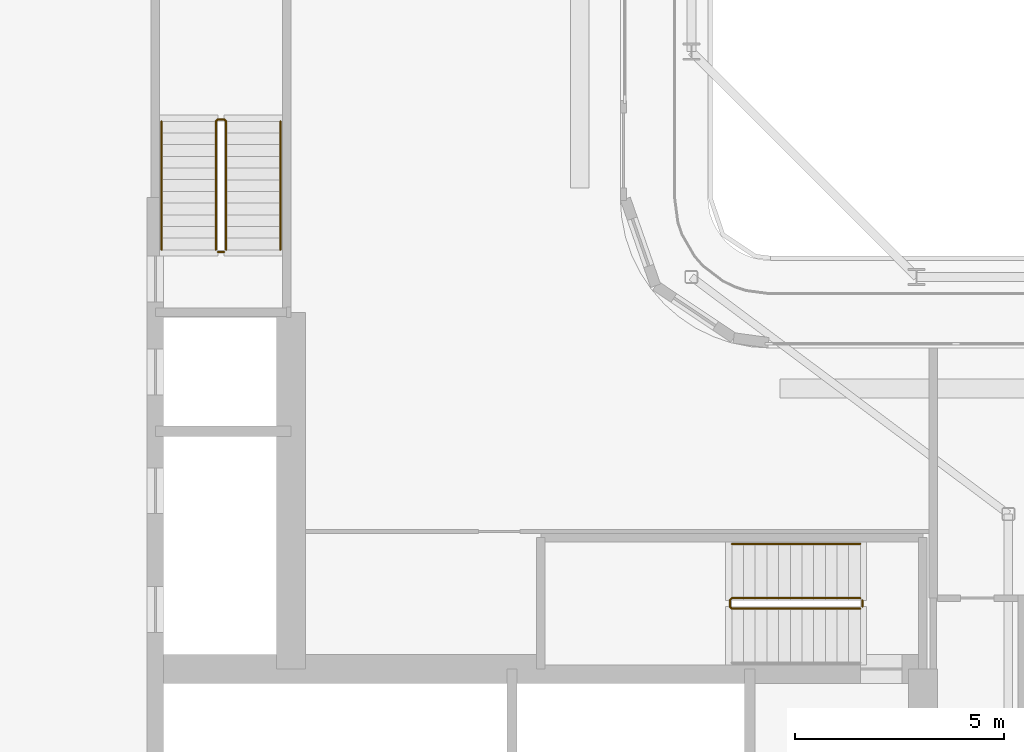
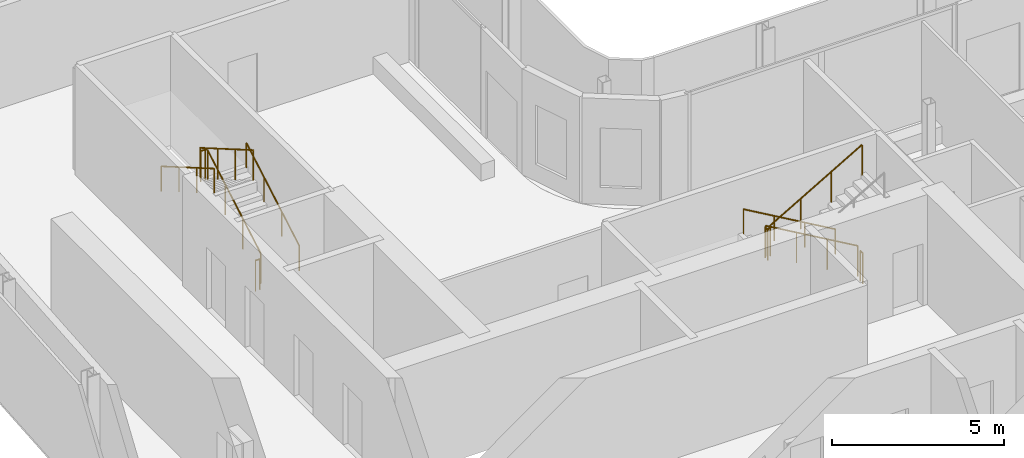
# One storey, part 18 of 23: 7 railings.
"""IFC4 building model written with IfcOpenShell, lengths in metres."""

import ifcopenshell
import ifcopenshell.guid

model = None  # the IFC model being written
_history = None  # IfcOwnerHistory: only IFC2X3 demands one
_inside = {}  # id of a spatial element -> (the spatial element, [elements in it])
_under = {}  # id of a project, library or spatial element -> (it, [spatial elements below it])
_declared = {}  # id of a project -> (the project, [libraries it declares])
_typed = {}  # id of a type object -> (the type object, [elements of that type])
_made_of = {}  # id of a material, layer set ... -> (it, [elements and type objects made of it])


def new_model(schema):
    """Start an empty IFC model of exactly this schema.

    Asked for "IFC4X3", IfcOpenShell would pick the latest addendum, in which some entities
    have other attributes; the version numbers below select the first issue.
    IFC2X3 requires an IfcOwnerHistory on every rooted entity: one is made here for all.
    """
    global model, _history
    if schema == "IFC4X3":
        model = ifcopenshell.file(schema_version=(4, 3, 0, 0))
    else:
        model = ifcopenshell.file(schema=schema)
    _inside.clear()
    _under.clear()
    _declared.clear()
    _typed.clear()
    _made_of.clear()
    _history = None
    if model.schema == "IFC2X3":
        org = make("IfcOrganization", Name="unknown")
        user = make(
            "IfcPersonAndOrganization",
            ThePerson=make("IfcPerson", FamilyName="unknown"),
            TheOrganization=org,
        )
        app = make(
            "IfcApplication",
            ApplicationDeveloper=org,
            Version="unknown",
            ApplicationFullName="unknown",
            ApplicationIdentifier="unknown",
        )
        _history = make(
            "IfcOwnerHistory",
            OwningUser=user,
            OwningApplication=app,
            ChangeAction="ADDED",
            CreationDate=0,
        )
    return model


def make(cls, **values):
    """One entity of the class cls with the attributes given. An attribute that is None is left unset."""
    return model.create_entity(
        cls, **{name: value for name, value in values.items() if value is not None}
    )


def rooted(cls, **values):
    """An entity with a GlobalId (a new one), such as an element, a storey or a relation."""
    return make(cls, GlobalId=ifcopenshell.guid.new(), OwnerHistory=_history, **values)


def si_unit(unit_type, name, prefix=None):
    """IfcSIUnit, for example si_unit("LENGTHUNIT", "METRE", prefix="MILLI")."""
    return make("IfcSIUnit", UnitType=unit_type, Prefix=prefix, Name=name)


def assignment(units):
    """IfcUnitAssignment: the units of a project."""
    return None if units is None else make("IfcUnitAssignment", Units=units)


def point(xyz):
    """IfcCartesianPoint."""
    return None if xyz is None else make("IfcCartesianPoint", Coordinates=xyz)


def direction(xyz):
    """IfcDirection."""
    return None if xyz is None else make("IfcDirection", DirectionRatios=xyz)


def frame(location, z_axis=None, x_axis=None):
    """IfcAxis2Placement3D, a coordinate frame: its origin and axes. An axis left out is left unset."""
    return make(
        "IfcAxis2Placement3D",
        Location=point(location),
        Axis=direction(z_axis),
        RefDirection=direction(x_axis),
    )


def frame_2d(location, x_axis=None):
    """IfcAxis2Placement2D, a coordinate frame in the plane: its origin and x axis."""
    return make(
        "IfcAxis2Placement2D", Location=point(location), RefDirection=direction(x_axis)
    )


def origin():
    """The frame at (0, 0, 0) with its axes left unset."""
    return frame((0.0, 0.0, 0.0))


def origin_2d():
    """The frame at (0, 0) in the plane with its x axis left unset."""
    return frame_2d((0.0, 0.0))


def place(relative_to, where):
    """IfcLocalPlacement: puts the frame where relative to a parent placement (None: the world)."""
    return make(
        "IfcLocalPlacement", PlacementRelTo=relative_to, RelativePlacement=where
    )


def context(
    kind, dimensions, precision=None, world=None, true_north=None, identifier=None
):
    """IfcGeometricRepresentationContext, for example the 3D "Model" context."""
    return make(
        "IfcGeometricRepresentationContext",
        ContextIdentifier=identifier,
        ContextType=kind,
        CoordinateSpaceDimension=dimensions,
        Precision=precision,
        WorldCoordinateSystem=world,
        TrueNorth=true_north,
    )


def subcontext(parent, identifier, kind, view, scale=None):
    """IfcGeometricRepresentationSubContext, for example "Body" below "Model"."""
    return make(
        "IfcGeometricRepresentationSubContext",
        ContextIdentifier=identifier,
        ContextType=kind,
        ParentContext=parent,
        TargetScale=scale,
        TargetView=view,
    )


def project(units=None, contexts=None):
    """IfcProject with its units and contexts."""
    return rooted(
        "IfcProject",
        Name="project",
        RepresentationContexts=contexts,
        UnitsInContext=assignment(units),
    )


def spatial(cls, under=None, at=None, **own):
    """A site, building, storey or space (cls), placed at a placement, below another one or the project."""
    s = rooted(cls, ObjectPlacement=at, **own)
    if under is not None:
        _under.setdefault(under.id(), (under, []))[1].append(s)
    return s


def profile(cls, at=None, kind="AREA", **sizes):
    """A parametric profile (cls). Its sizes go by their IFC names, for example OverallWidth=200.0."""
    return make(cls, ProfileType=kind, Position=at, **sizes)


def circle(**sizes):
    """IfcCircleProfileDef."""
    return profile("IfcCircleProfileDef", **sizes)


def extrude(swept, where, along, depth):
    """IfcExtrudedAreaSolid: the profile swept, set in the frame where, extruded along a direction by depth."""
    return make(
        "IfcExtrudedAreaSolid",
        SweptArea=swept,
        Position=where,
        ExtrudedDirection=direction(along),
        Depth=depth,
    )


def shape(context_of_items, identifier, shape_type, items):
    """IfcShapeRepresentation: the items that make up one representation, for example the "Body"."""
    return make(
        "IfcShapeRepresentation",
        ContextOfItems=context_of_items,
        RepresentationIdentifier=identifier,
        RepresentationType=shape_type,
        Items=items,
    )


def material(Name=None, Category=None):
    """IfcMaterial."""
    return make("IfcMaterial", Name=Name, Category=Category)


def made_of(thing, what):
    """Note that an element or type object is made of a material, layer set ...; save() writes the relation."""
    if what is not None:
        _made_of.setdefault(what.id(), (what, []))[1].append(thing)
    return thing


def type_object(cls, material=None, **own):
    """A type object (cls), such as IfcWallType, which elements share."""
    return made_of(rooted(cls, **own), material)


def element(
    cls,
    number,
    at=None,
    inside=None,
    cuts=None,
    type_object=None,
    material=None,
    context=None,
    identifier="Body",
    shape_type=None,
    held_by="IfcProductDefinitionShape",
    body=None,
    shapes=None,
    **own,
):
    """One element of the class cls, such as IfcWall. Its Tag is "e" and its number.

    at: its placement. inside: the storey or other place that contains it. cuts: it is an
    opening in that element (IfcRelVoidsElement). A single representation is given by context,
    identifier, shape_type and body (its items); several are given by shapes. held_by: the class
    of the entity that holds the representations. save() writes the other relations.
    """
    e = rooted(cls, Tag="e%d" % number, ObjectPlacement=at, **own)
    if body is not None:
        shapes = [shape(context, identifier, shape_type, body)]
    if shapes is not None:
        e.Representation = make(held_by, Representations=shapes)
    if inside is not None:
        _inside.setdefault(inside.id(), (inside, []))[1].append(e)
    if cuts is not None:
        rooted(
            "IfcRelVoidsElement", RelatingBuildingElement=cuts, RelatedOpeningElement=e
        )
    if type_object is not None:
        _typed.setdefault(type_object.id(), (type_object, []))[1].append(e)
    return made_of(e, material)


def aggregate(whole, parts):
    """IfcRelAggregates: a whole, such as a stair, and the parts it consists of."""
    return rooted("IfcRelAggregates", RelatingObject=whole, RelatedObjects=parts)


def save(model, path):
    """Write the relations noted so far, then the file.

    IfcRelAggregates (storeys below a building ...), IfcRelContainedInSpatialStructure (elements
    in a storey), IfcRelDefinesByType, IfcRelAssociatesMaterial and IfcRelDeclares: one each for
    every whole, place, type object, material and project.
    """
    for whole, parts in _under.values():
        aggregate(whole, parts)
    for where, things in _inside.values():
        rooted(
            "IfcRelContainedInSpatialStructure",
            RelatedElements=things,
            RelatingStructure=where,
        )
    for kind, things in _typed.values():
        rooted("IfcRelDefinesByType", RelatedObjects=things, RelatingType=kind)
    for what, things in _made_of.values():
        rooted("IfcRelAssociatesMaterial", RelatedObjects=things, RelatingMaterial=what)
    for by, libraries in _declared.values():
        rooted("IfcRelDeclares", RelatingContext=by, RelatedDefinitions=libraries)
    model.write(path)


model = new_model("IFC4")

# Units and contexts
model_context = context("Model", 3, precision=1e-05, world=origin(), true_north=direction((0.0, 1.0)))
body_context = subcontext(model_context, "Body", "Model", "MODEL_VIEW")
ifc_project = project(units=[si_unit("LENGTHUNIT", "METRE"), si_unit("AREAUNIT", "SQUARE_METRE"), si_unit("VOLUMEUNIT", "CUBIC_METRE"), si_unit("PLANEANGLEUNIT", "RADIAN"), si_unit("MASSUNIT", "GRAM", prefix="KILO")], contexts=[model_context])

# Site, building, storey
site_placement = place(None, origin())
site = spatial("IfcSite", under=ifc_project, at=site_placement, CompositionType="ELEMENT")
building_placement = place(site_placement, origin())
building = spatial("IfcBuilding", under=site, at=building_placement, Name="Kheshtan School and Residences Tower", CompositionType="ELEMENT")
storey_placement = place(building_placement, frame((0.0, 0.0, 259.10009765625)))
storey = spatial("IfcBuildingStorey", under=building, at=storey_placement, Name="L61", CompositionType="ELEMENT", Elevation=259.10009765625)

# Railings
ifc_material_1 = material(Name="Stainless steel balustrade", Category="steel")
railing_type_1 = type_object("IfcRailingType", Name="Stair guard 1100", PredefinedType="GUARDRAIL", material=ifc_material_1)
railing_1_placement = place(storey_placement, frame((51.64990234375, 37.89990234375, 0.162353515625)))
element("IfcRailing", 1, at=railing_1_placement, inside=storey, type_object=railing_type_1, Name="L61 ST1 stair guard 1", PredefinedType="GUARDRAIL", context=body_context, shape_type="SweptSolid", body=[
    extrude(circle(Radius=0.02392578125, at=origin_2d()), frame((0.0, 0.0, 1.076171875), z_axis=(-0.864873446163, 0.0, 0.501989962173), x_axis=(0.0, -1.0, 0.0)), (0.0, 0.0, 1.0), 3.56103515625),
    extrude(circle(Radius=0.02392578125, at=origin_2d()), frame((-3.079833984375, 0.0, 2.86376953125), z_axis=(-0.708833529934, -0.705375805398, 0.0), x_axis=(0.705375805398, -0.708833529934, 0.0)), (0.0, 0.0, 1.0), 0.070556640625),
    extrude(circle(Radius=0.02392578125, at=origin_2d()), frame((-3.1298828125, -0.0498046875, 2.86376953125), z_axis=(0.0, -1.0, 0.0), x_axis=(1.0, 0.0, 0.0)), (0.0, 0.0, 1.0), 0.150146484375),
    extrude(circle(Radius=0.02392578125, at=origin_2d()), frame((-3.1298828125, -0.199951171875, 2.86376953125), z_axis=(0.282583949758, -0.282583949758, 0.916674763849), x_axis=(0.707106781187, 0.707106781187, 0.0)), (0.0, 0.0, 1.0), 0.177001953125),
    extrude(circle(Radius=0.02392578125, at=origin_2d()), frame((-3.079833984375, -0.25, 3.02587890625), z_axis=(0.864873446163, 0.0, 0.501989962173), x_axis=(0.0, 1.0, 0.0)), (0.0, 0.0, 1.0), 3.56103515625),
    extrude(circle(Radius=0.02099609375, at=origin_2d()), origin(), (0.0, 0.0, 1.0), 1.052001953125),
    extrude(circle(Radius=0.02099609375, at=origin_2d()), frame((-1.026611328125, 0.0, 0.595947265625)), (0.0, 0.0, 1.0), 1.052001953125),
    extrude(circle(Radius=0.02099609375, at=origin_2d()), frame((-2.05322265625, 0.0, 1.191650390625)), (0.0, 0.0, 1.0), 1.052001953125),
    extrude(circle(Radius=0.02099609375, at=origin_2d()), frame((-3.079833984375, 0.0, 1.78759765625)), (0.0, 0.0, 1.0), 1.052001953125),
    extrude(circle(Radius=0.02099609375, at=origin_2d()), frame((-3.1298828125, -0.0498046875, 1.78759765625)), (0.0, 0.0, 1.0), 1.052001953125),
    extrude(circle(Radius=0.02099609375, at=origin_2d()), frame((-3.1298828125, -0.199951171875, 1.78759765625)), (0.0, 0.0, 1.0), 1.052001953125),
    extrude(circle(Radius=0.02099609375, at=origin_2d()), frame((-3.079833984375, -0.25, 1.949951171875)), (0.0, 0.0, 1.0), 1.052001953125),
    extrude(circle(Radius=0.02099609375, at=origin_2d()), frame((-2.05322265625, -0.25, 2.5458984375)), (0.0, 0.0, 1.0), 1.052001953125),
    extrude(circle(Radius=0.02099609375, at=origin_2d()), frame((-1.026611328125, -0.25, 3.1416015625)), (0.0, 0.0, 1.0), 1.052001953125),
    extrude(circle(Radius=0.02099609375, at=origin_2d()), frame((0.0, -0.25, 3.737548828125)), (0.0, 0.0, 1.0), 1.052001953125),
])
railing_2_placement = place(storey_placement, frame((51.699951171875, 37.85009765625, 0.0)))
element("IfcRailing", 2, at=railing_2_placement, inside=storey, type_object=railing_type_1, Name="L61 ST1 stair guard 2", PredefinedType="GUARDRAIL", context=body_context, shape_type="SweptSolid", body=[
    extrude(circle(Radius=0.02392578125, at=origin_2d()), frame((0.0, 0.0, 1.076171875), z_axis=(0.0, -1.0, 0.0), x_axis=(1.0, 0.0, 0.0)), (0.0, 0.0, 1.0), 0.150146484375),
    extrude(circle(Radius=0.02099609375, at=origin_2d()), origin(), (0.0, 0.0, 1.0), 1.052001953125),
    extrude(circle(Radius=0.02099609375, at=origin_2d()), frame((0.0, -0.150146484375, 0.0)), (0.0, 0.0, 1.0), 1.052001953125),
])
railing_3_placement = place(storey_placement, frame((36.449951171875, 46.25, 0.162353515625)))
element("IfcRailing", 3, at=railing_3_placement, inside=storey, type_object=railing_type_1, Name="L61 ST2 stair guard 1", PredefinedType="GUARDRAIL", context=body_context, shape_type="SweptSolid", body=[
    extrude(circle(Radius=0.02392578125, at=origin_2d()), frame((0.0, 0.0, 1.076171875), z_axis=(0.0, 0.864890721111, 0.501960198159), x_axis=(-1.0, 0.0, 0.0)), (0.0, 0.0, 1.0), 3.561279296875),
    extrude(circle(Radius=0.02392578125, at=origin_2d()), frame((0.0, 3.080078125, 2.86376953125), z_axis=(-0.708833529934, 0.705375805398, 0.0), x_axis=(-0.705375805398, -0.708833529934, 0.0)), (0.0, 0.0, 1.0), 0.070556640625),
    extrude(circle(Radius=0.02392578125, at=origin_2d()), frame((-0.050048828125, 3.1298828125, 2.86376953125), z_axis=(-1.0, 0.0, 0.0), x_axis=(0.0, -1.0, 0.0)), (0.0, 0.0, 1.0), 0.14990234375),
    extrude(circle(Radius=0.02392578125, at=origin_2d()), frame((-0.199951171875, 3.1298828125, 2.86376953125), z_axis=(-0.282693820306, -0.281314826061, 0.917031173188), x_axis=(0.705375805398, -0.708833529934, 0.0)), (0.0, 0.0, 1.0), 0.177001953125),
    extrude(circle(Radius=0.02392578125, at=origin_2d()), frame((-0.25, 3.080078125, 3.02587890625), z_axis=(0.0, -0.864890721111, 0.501960198159), x_axis=(1.0, 0.0, 0.0)), (0.0, 0.0, 1.0), 3.561279296875),
    extrude(circle(Radius=0.02099609375, at=origin_2d()), origin(), (0.0, 0.0, 1.0), 1.052001953125),
    extrude(circle(Radius=0.02099609375, at=origin_2d()), frame((0.0, 1.026611328125, 0.595947265625)), (0.0, 0.0, 1.0), 1.052001953125),
    extrude(circle(Radius=0.02099609375, at=origin_2d()), frame((0.0, 2.053466796875, 1.191650390625)), (0.0, 0.0, 1.0), 1.052001953125),
    extrude(circle(Radius=0.02099609375, at=origin_2d()), frame((0.0, 3.080078125, 1.78759765625)), (0.0, 0.0, 1.0), 1.052001953125),
    extrude(circle(Radius=0.02099609375, at=origin_2d()), frame((-0.050048828125, 3.1298828125, 1.78759765625)), (0.0, 0.0, 1.0), 1.052001953125),
    extrude(circle(Radius=0.02099609375, at=origin_2d()), frame((-0.199951171875, 3.1298828125, 1.78759765625)), (0.0, 0.0, 1.0), 1.052001953125),
    extrude(circle(Radius=0.02099609375, at=origin_2d()), frame((-0.25, 3.080078125, 1.949951171875)), (0.0, 0.0, 1.0), 1.052001953125),
    extrude(circle(Radius=0.02099609375, at=origin_2d()), frame((-0.25, 2.053466796875, 2.5458984375)), (0.0, 0.0, 1.0), 1.052001953125),
    extrude(circle(Radius=0.02099609375, at=origin_2d()), frame((-0.25, 1.026611328125, 3.1416015625)), (0.0, 0.0, 1.0), 1.052001953125),
    extrude(circle(Radius=0.02099609375, at=origin_2d()), frame((-0.25, 0.0, 3.737548828125)), (0.0, 0.0, 1.0), 1.052001953125),
])
railing_4_placement = place(storey_placement, frame((36.39990234375, 46.199951171875, 0.0)))
element("IfcRailing", 4, at=railing_4_placement, inside=storey, type_object=railing_type_1, Name="L61 ST2 stair guard 2", PredefinedType="GUARDRAIL", context=body_context, shape_type="SweptSolid", body=[
    extrude(circle(Radius=0.02392578125, at=origin_2d()), frame((0.0, 0.0, 1.076171875), z_axis=(-1.0, 0.0, 0.0), x_axis=(0.0, -1.0, 0.0)), (0.0, 0.0, 1.0), 0.14990234375),
    extrude(circle(Radius=0.02099609375, at=origin_2d()), origin(), (0.0, 0.0, 1.0), 1.052001953125),
    extrude(circle(Radius=0.02099609375, at=origin_2d()), frame((-0.14990234375, 0.0, 0.0)), (0.0, 0.0, 1.0), 1.052001953125),
])
ifc_material_2 = material(Name="Stainless steel handrail", Category="steel")
railing_type_2 = type_object("IfcRailingType", Name="Stair handrail 900", PredefinedType="HANDRAIL", material=ifc_material_2)
railing_5_placement = place(storey_placement, frame((51.64990234375, 39.199951171875, 0.162353515625)))
element("IfcRailing", 5, at=railing_5_placement, inside=storey, type_object=railing_type_2, Name="L61 ST1 stair handrail 1", PredefinedType="HANDRAIL", context=body_context, shape_type="SweptSolid", body=[
    extrude(circle(Radius=0.02392578125, at=origin_2d()), frame((0.0, 0.0, 0.8759765625), z_axis=(-0.864873446163, 0.0, 0.501989962173), x_axis=(0.0, -1.0, 0.0)), (0.0, 0.0, 1.0), 3.56103515625),
    extrude(circle(Radius=0.02099609375, at=origin_2d()), origin(), (0.0, 0.0, 1.0), 0.851806640625),
    extrude(circle(Radius=0.02099609375, at=origin_2d()), frame((-1.026611328125, 0.0, 0.595947265625)), (0.0, 0.0, 1.0), 0.851806640625),
    extrude(circle(Radius=0.02099609375, at=origin_2d()), frame((-2.05322265625, 0.0, 1.191650390625)), (0.0, 0.0, 1.0), 0.851806640625),
    extrude(circle(Radius=0.02099609375, at=origin_2d()), frame((-3.079833984375, 0.0, 1.78759765625)), (0.0, 0.0, 1.0), 0.851806640625),
])
railing_6_placement = place(storey_placement, frame((37.75, 46.25, 0.162353515625)))
element("IfcRailing", 6, at=railing_6_placement, inside=storey, type_object=railing_type_2, Name="L61 ST2 stair handrail 1", PredefinedType="HANDRAIL", context=body_context, shape_type="SweptSolid", body=[
    extrude(circle(Radius=0.02392578125, at=origin_2d()), frame((0.0, 0.0, 0.8759765625), z_axis=(0.0, 0.864890721111, 0.501960198159), x_axis=(-1.0, 0.0, 0.0)), (0.0, 0.0, 1.0), 3.561279296875),
    extrude(circle(Radius=0.02099609375, at=origin_2d()), origin(), (0.0, 0.0, 1.0), 0.851806640625),
    extrude(circle(Radius=0.02099609375, at=origin_2d()), frame((0.0, 1.026611328125, 0.595947265625)), (0.0, 0.0, 1.0), 0.851806640625),
    extrude(circle(Radius=0.02099609375, at=origin_2d()), frame((0.0, 2.053466796875, 1.191650390625)), (0.0, 0.0, 1.0), 0.851806640625),
    extrude(circle(Radius=0.02099609375, at=origin_2d()), frame((0.0, 3.080078125, 1.78759765625)), (0.0, 0.0, 1.0), 0.851806640625),
])
railing_7_placement = place(storey_placement, frame((34.89990234375, 49.330078125, 2.1123046875)))
element("IfcRailing", 7, at=railing_7_placement, inside=storey, type_object=railing_type_2, Name="L61 ST2 stair handrail 2", PredefinedType="HANDRAIL", context=body_context, shape_type="SweptSolid", body=[
    extrude(circle(Radius=0.02392578125, at=origin_2d()), frame((0.0, 0.0, 0.8759765625), z_axis=(0.0, -0.864890721111, 0.501960198159), x_axis=(1.0, 0.0, 0.0)), (0.0, 0.0, 1.0), 3.561279296875),
    extrude(circle(Radius=0.02099609375, at=origin_2d()), origin(), (0.0, 0.0, 1.0), 0.851806640625),
    extrude(circle(Radius=0.02099609375, at=origin_2d()), frame((0.0, -1.026611328125, 0.595947265625)), (0.0, 0.0, 1.0), 0.851806640625),
    extrude(circle(Radius=0.02099609375, at=origin_2d()), frame((0.0, -2.053466796875, 1.191650390625)), (0.0, 0.0, 1.0), 0.851806640625),
    extrude(circle(Radius=0.02099609375, at=origin_2d()), frame((0.0, -3.080078125, 1.78759765625)), (0.0, 0.0, 1.0), 0.851806640625),
])

save(model, "model.ifc")
